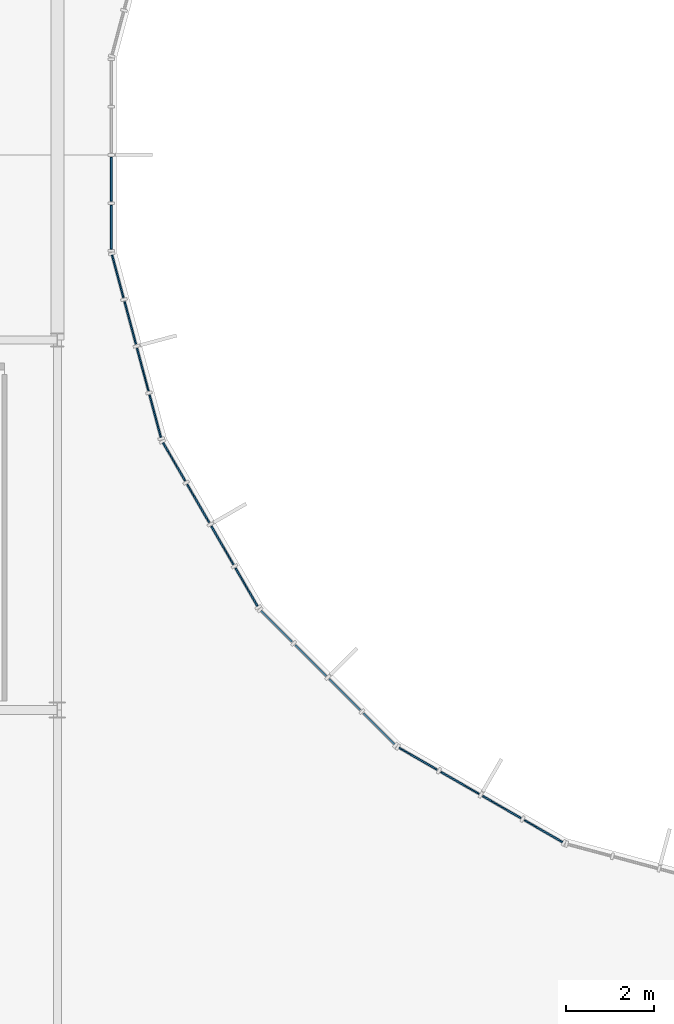
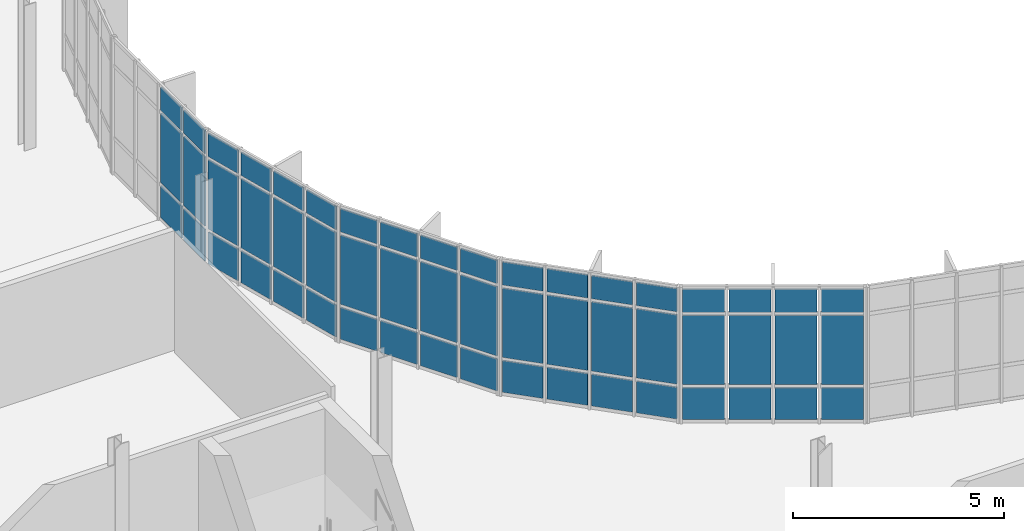
# One storey, part 72 of 119: 54 plates, 5 elements without a shape of their own.
"""IFC4 building model written with IfcOpenShell, lengths in metres."""

from ifc_helpers import new_model, si_unit, direction, frame, origin, origin_2d, place, context, subcontext, project, spatial, rectangle, extrude, material, layer, layer_set, type_object, element, aggregate, save


model = new_model("IFC4")

# Units and contexts
model_context = context("Model", 3, precision=1e-05, world=origin(), true_north=direction((0.0, 1.0)))
body_context = subcontext(model_context, "Body", "Model", "MODEL_VIEW")
ifc_project = project(units=[si_unit("LENGTHUNIT", "METRE"), si_unit("AREAUNIT", "SQUARE_METRE"), si_unit("VOLUMEUNIT", "CUBIC_METRE"), si_unit("PLANEANGLEUNIT", "RADIAN"), si_unit("MASSUNIT", "GRAM", prefix="KILO")], contexts=[model_context])

# Site, building, storey
site_placement = place(None, origin())
site = spatial("IfcSite", under=ifc_project, at=site_placement, CompositionType="ELEMENT")
building_placement = place(site_placement, origin())
building = spatial("IfcBuilding", under=site, at=building_placement, Name="Qelthora Terrace Specialist Clinic", CompositionType="ELEMENT")
storey_placement = place(building_placement, frame((0.0, 0.0, 4.800048828125)))
storey = spatial("IfcBuildingStorey", under=building, at=storey_placement, Name="L01", CompositionType="ELEMENT", Elevation=4.800048828125)

# Curtain wall, plates
ifc_material_1 = material(Name="Aluminium anodized bronze", Category="aluminium")
curtain_wall_type = type_object("IfcCurtainWallType", Name="CW-CRTE-UPP", PredefinedType="NOTDEFINED", material=ifc_material_1)
curtain_wall_1_placement = place(storey_placement, origin())
curtain_wall_1 = element("IfcCurtainWall", 1, at=curtain_wall_1_placement, inside=storey, type_object=curtain_wall_type, Name="Curtain wall CW-CE-L01-12", PredefinedType="NOTDEFINED")
ifc_material_2 = material(Name="Low-E triple-silver insulating glass", Category="glass")
ifc_layer = layer(ifc_material_2, 0.035888671875)
ifc_layer_set = layer_set([ifc_layer], Name="Low-E triple-silver insulating glass")
plate_type = type_object("IfcPlateType", Name="CWP-IGU-36", PredefinedType="CURTAIN_PANEL", material=ifc_layer_set)
plate_1_placement = place(storey_placement, frame((109.2236328125, 62.451904296875, 0.0849609375), z_axis=(0.0, 0.0, 1.0), x_axis=(0.0, -1.0, 0.0)))
plate_1 = element("IfcPlate", 2, at=plate_1_placement, type_object=plate_type, Name="CW-CE-L01-12 glazed panel 7", PredefinedType="CURTAIN_PANEL", context=body_context, shape_type="SweptSolid", body=[
    extrude(rectangle(XDim=0.996337890625, YDim=0.035888671875, at=origin_2d()), origin(), (0.0, 0.0, 1.0), 0.919921875),
])
plate_2_placement = place(storey_placement, frame((109.2236328125, 62.451904296875, 1.094970703125), z_axis=(0.0, 0.0, 1.0), x_axis=(0.0, -1.0, 0.0)))
plate_2 = element("IfcPlate", 3, at=plate_2_placement, type_object=plate_type, Name="CW-CE-L01-12 glazed panel 8", PredefinedType="CURTAIN_PANEL", context=body_context, shape_type="SweptSolid", body=[
    extrude(rectangle(XDim=0.996337890625, YDim=0.035888671875, at=origin_2d()), origin(), (0.0, 0.0, 1.0), 2.0048828125),
])
plate_3_placement = place(storey_placement, frame((109.2236328125, 62.451904296875, 3.18994140625), z_axis=(0.0, 0.0, 1.0), x_axis=(0.0, -1.0, 0.0)))
plate_3 = element("IfcPlate", 4, at=plate_3_placement, type_object=plate_type, Name="CW-CE-L01-12 glazed panel 9", PredefinedType="CURTAIN_PANEL", context=body_context, shape_type="SweptSolid", body=[
    extrude(rectangle(XDim=0.996337890625, YDim=0.035888671875, at=origin_2d()), origin(), (0.0, 0.0, 1.0), 0.669921875),
])
plate_4_placement = place(storey_placement, frame((109.2236328125, 61.35546875, 0.0849609375), z_axis=(0.0, 0.0, 1.0), x_axis=(0.0, -1.0, 0.0)))
plate_4 = element("IfcPlate", 5, at=plate_4_placement, type_object=plate_type, Name="CW-CE-L01-12 glazed panel 10", PredefinedType="CURTAIN_PANEL", context=body_context, shape_type="SweptSolid", body=[
    extrude(rectangle(XDim=0.996337890625, YDim=0.035888671875, at=origin_2d()), origin(), (0.0, 0.0, 1.0), 0.919921875),
])
plate_5_placement = place(storey_placement, frame((109.2236328125, 61.35546875, 1.094970703125), z_axis=(0.0, 0.0, 1.0), x_axis=(0.0, -1.0, 0.0)))
plate_5 = element("IfcPlate", 6, at=plate_5_placement, type_object=plate_type, Name="CW-CE-L01-12 glazed panel 11", PredefinedType="CURTAIN_PANEL", context=body_context, shape_type="SweptSolid", body=[
    extrude(rectangle(XDim=0.996337890625, YDim=0.035888671875, at=origin_2d()), origin(), (0.0, 0.0, 1.0), 2.0048828125),
])
plate_6_placement = place(storey_placement, frame((109.2236328125, 61.35546875, 3.18994140625), z_axis=(0.0, 0.0, 1.0), x_axis=(0.0, -1.0, 0.0)))
plate_6 = element("IfcPlate", 7, at=plate_6_placement, type_object=plate_type, Name="CW-CE-L01-12 glazed panel 12", PredefinedType="CURTAIN_PANEL", context=body_context, shape_type="SweptSolid", body=[
    extrude(rectangle(XDim=0.996337890625, YDim=0.035888671875, at=origin_2d()), origin(), (0.0, 0.0, 1.0), 0.669921875),
])
aggregate(curtain_wall_1, [plate_1, plate_2, plate_3, plate_4, plate_5, plate_6])

curtain_wall_2_placement = place(storey_placement, origin())
curtain_wall_2 = element("IfcCurtainWall", 8, at=curtain_wall_2_placement, inside=storey, type_object=curtain_wall_type, Name="Curtain wall CW-CE-L01-13", PredefinedType="NOTDEFINED")
plate_7_placement = place(storey_placement, frame((109.36962890625, 60.24658203125, 0.0849609375), z_axis=(0.0, 0.0, 1.0), x_axis=(0.258819045103, -0.965925826289, 0.0)))
plate_7 = element("IfcPlate", 9, at=plate_7_placement, type_object=plate_type, Name="CW-CE-L01-13 glazed panel 1", PredefinedType="CURTAIN_PANEL", context=body_context, shape_type="SweptSolid", body=[
    extrude(rectangle(XDim=0.996337890625, YDim=0.035888671875, at=origin_2d()), origin(), (0.0, 0.0, 1.0), 0.919921875),
])
plate_8_placement = place(storey_placement, frame((109.36962890625, 60.24658203125, 1.094970703125), z_axis=(0.0, 0.0, 1.0), x_axis=(0.258819045103, -0.965925826289, 0.0)))
plate_8 = element("IfcPlate", 10, at=plate_8_placement, type_object=plate_type, Name="CW-CE-L01-13 glazed panel 2", PredefinedType="CURTAIN_PANEL", context=body_context, shape_type="SweptSolid", body=[
    extrude(rectangle(XDim=0.996337890625, YDim=0.035888671875, at=origin_2d()), origin(), (0.0, 0.0, 1.0), 2.0048828125),
])
plate_9_placement = place(storey_placement, frame((109.36962890625, 60.24658203125, 3.18994140625), z_axis=(0.0, 0.0, 1.0), x_axis=(0.258819045103, -0.965925826289, 0.0)))
plate_9 = element("IfcPlate", 11, at=plate_9_placement, type_object=plate_type, Name="CW-CE-L01-13 glazed panel 3", PredefinedType="CURTAIN_PANEL", context=body_context, shape_type="SweptSolid", body=[
    extrude(rectangle(XDim=0.996337890625, YDim=0.035888671875, at=origin_2d()), origin(), (0.0, 0.0, 1.0), 0.669921875),
])
plate_10_placement = place(storey_placement, frame((109.653564453125, 59.1875, 0.0849609375), z_axis=(0.0, 0.0, 1.0), x_axis=(0.258819045103, -0.965925826289, 0.0)))
plate_10 = element("IfcPlate", 12, at=plate_10_placement, type_object=plate_type, Name="CW-CE-L01-13 glazed panel 4", PredefinedType="CURTAIN_PANEL", context=body_context, shape_type="SweptSolid", body=[
    extrude(rectangle(XDim=0.996337890625, YDim=0.035888671875, at=origin_2d()), origin(), (0.0, 0.0, 1.0), 0.919921875),
])
plate_11_placement = place(storey_placement, frame((109.653564453125, 59.1875, 1.094970703125), z_axis=(0.0, 0.0, 1.0), x_axis=(0.258819045103, -0.965925826289, 0.0)))
plate_11 = element("IfcPlate", 13, at=plate_11_placement, type_object=plate_type, Name="CW-CE-L01-13 glazed panel 5", PredefinedType="CURTAIN_PANEL", context=body_context, shape_type="SweptSolid", body=[
    extrude(rectangle(XDim=0.996337890625, YDim=0.035888671875, at=origin_2d()), origin(), (0.0, 0.0, 1.0), 2.0048828125),
])
plate_12_placement = place(storey_placement, frame((109.653564453125, 59.1875, 3.18994140625), z_axis=(0.0, 0.0, 1.0), x_axis=(0.258819045103, -0.965925826289, 0.0)))
plate_12 = element("IfcPlate", 14, at=plate_12_placement, type_object=plate_type, Name="CW-CE-L01-13 glazed panel 6", PredefinedType="CURTAIN_PANEL", context=body_context, shape_type="SweptSolid", body=[
    extrude(rectangle(XDim=0.996337890625, YDim=0.035888671875, at=origin_2d()), origin(), (0.0, 0.0, 1.0), 0.669921875),
])
plate_13_placement = place(storey_placement, frame((109.937255859375, 58.12841796875, 0.0849609375), z_axis=(0.0, 0.0, 1.0), x_axis=(0.258819045103, -0.965925826289, 0.0)))
plate_13 = element("IfcPlate", 15, at=plate_13_placement, type_object=plate_type, Name="CW-CE-L01-13 glazed panel 7", PredefinedType="CURTAIN_PANEL", context=body_context, shape_type="SweptSolid", body=[
    extrude(rectangle(XDim=0.996337890625, YDim=0.035888671875, at=origin_2d()), origin(), (0.0, 0.0, 1.0), 0.919921875),
])
plate_14_placement = place(storey_placement, frame((109.937255859375, 58.12841796875, 1.094970703125), z_axis=(0.0, 0.0, 1.0), x_axis=(0.258819045103, -0.965925826289, 0.0)))
plate_14 = element("IfcPlate", 16, at=plate_14_placement, type_object=plate_type, Name="CW-CE-L01-13 glazed panel 8", PredefinedType="CURTAIN_PANEL", context=body_context, shape_type="SweptSolid", body=[
    extrude(rectangle(XDim=0.996337890625, YDim=0.035888671875, at=origin_2d()), origin(), (0.0, 0.0, 1.0), 2.0048828125),
])
plate_15_placement = place(storey_placement, frame((109.937255859375, 58.12841796875, 3.18994140625), z_axis=(0.0, 0.0, 1.0), x_axis=(0.258819045103, -0.965925826289, 0.0)))
plate_15 = element("IfcPlate", 17, at=plate_15_placement, type_object=plate_type, Name="CW-CE-L01-13 glazed panel 9", PredefinedType="CURTAIN_PANEL", context=body_context, shape_type="SweptSolid", body=[
    extrude(rectangle(XDim=0.996337890625, YDim=0.035888671875, at=origin_2d()), origin(), (0.0, 0.0, 1.0), 0.669921875),
])
plate_16_placement = place(storey_placement, frame((110.220947265625, 57.0693359375, 0.0849609375), z_axis=(0.0, 0.0, 1.0), x_axis=(0.258819045103, -0.965925826289, 0.0)))
plate_16 = element("IfcPlate", 18, at=plate_16_placement, type_object=plate_type, Name="CW-CE-L01-13 glazed panel 10", PredefinedType="CURTAIN_PANEL", context=body_context, shape_type="SweptSolid", body=[
    extrude(rectangle(XDim=0.996337890625, YDim=0.035888671875, at=origin_2d()), origin(), (0.0, 0.0, 1.0), 0.919921875),
])
plate_17_placement = place(storey_placement, frame((110.220947265625, 57.0693359375, 1.094970703125), z_axis=(0.0, 0.0, 1.0), x_axis=(0.258819045103, -0.965925826289, 0.0)))
plate_17 = element("IfcPlate", 19, at=plate_17_placement, type_object=plate_type, Name="CW-CE-L01-13 glazed panel 11", PredefinedType="CURTAIN_PANEL", context=body_context, shape_type="SweptSolid", body=[
    extrude(rectangle(XDim=0.996337890625, YDim=0.035888671875, at=origin_2d()), origin(), (0.0, 0.0, 1.0), 2.0048828125),
])
plate_18_placement = place(storey_placement, frame((110.220947265625, 57.0693359375, 3.18994140625), z_axis=(0.0, 0.0, 1.0), x_axis=(0.258819045103, -0.965925826289, 0.0)))
plate_18 = element("IfcPlate", 20, at=plate_18_placement, type_object=plate_type, Name="CW-CE-L01-13 glazed panel 12", PredefinedType="CURTAIN_PANEL", context=body_context, shape_type="SweptSolid", body=[
    extrude(rectangle(XDim=0.996337890625, YDim=0.035888671875, at=origin_2d()), origin(), (0.0, 0.0, 1.0), 0.669921875),
])
aggregate(curtain_wall_2, [plate_7, plate_8, plate_9, plate_10, plate_11, plate_12, plate_13, plate_14, plate_15, plate_16, plate_17, plate_18])

curtain_wall_3_placement = place(storey_placement, origin())
curtain_wall_3 = element("IfcCurtainWall", 21, at=curtain_wall_3_placement, inside=storey, type_object=curtain_wall_type, Name="Curtain wall CW-CE-L01-14", PredefinedType="NOTDEFINED")
plate_19_placement = place(storey_placement, frame((110.64892578125, 56.0361328125, 0.0849609375), z_axis=(0.0, 0.0, 1.0), x_axis=(0.5, -0.866025403784, 0.0)))
plate_19 = element("IfcPlate", 22, at=plate_19_placement, type_object=plate_type, Name="CW-CE-L01-14 glazed panel 1", PredefinedType="CURTAIN_PANEL", context=body_context, shape_type="SweptSolid", body=[
    extrude(rectangle(XDim=0.996337890625, YDim=0.035888671875, at=origin_2d()), origin(), (0.0, 0.0, 1.0), 0.919921875),
])
plate_20_placement = place(storey_placement, frame((110.64892578125, 56.0361328125, 1.094970703125), z_axis=(0.0, 0.0, 1.0), x_axis=(0.5, -0.866025403784, 0.0)))
plate_20 = element("IfcPlate", 23, at=plate_20_placement, type_object=plate_type, Name="CW-CE-L01-14 glazed panel 2", PredefinedType="CURTAIN_PANEL", context=body_context, shape_type="SweptSolid", body=[
    extrude(rectangle(XDim=0.996337890625, YDim=0.035888671875, at=origin_2d()), origin(), (0.0, 0.0, 1.0), 2.0048828125),
])
plate_21_placement = place(storey_placement, frame((110.64892578125, 56.0361328125, 3.18994140625), z_axis=(0.0, 0.0, 1.0), x_axis=(0.5, -0.866025403784, 0.0)))
plate_21 = element("IfcPlate", 24, at=plate_21_placement, type_object=plate_type, Name="CW-CE-L01-14 glazed panel 3", PredefinedType="CURTAIN_PANEL", context=body_context, shape_type="SweptSolid", body=[
    extrude(rectangle(XDim=0.996337890625, YDim=0.035888671875, at=origin_2d()), origin(), (0.0, 0.0, 1.0), 0.669921875),
])
plate_22_placement = place(storey_placement, frame((111.197265625, 55.086669921875, 0.0849609375), z_axis=(0.0, 0.0, 1.0), x_axis=(0.5, -0.866025403784, 0.0)))
plate_22 = element("IfcPlate", 25, at=plate_22_placement, type_object=plate_type, Name="CW-CE-L01-14 glazed panel 4", PredefinedType="CURTAIN_PANEL", context=body_context, shape_type="SweptSolid", body=[
    extrude(rectangle(XDim=0.996337890625, YDim=0.035888671875, at=origin_2d()), origin(), (0.0, 0.0, 1.0), 0.919921875),
])
plate_23_placement = place(storey_placement, frame((111.197265625, 55.086669921875, 1.094970703125), z_axis=(0.0, 0.0, 1.0), x_axis=(0.5, -0.866025403784, 0.0)))
plate_23 = element("IfcPlate", 26, at=plate_23_placement, type_object=plate_type, Name="CW-CE-L01-14 glazed panel 5", PredefinedType="CURTAIN_PANEL", context=body_context, shape_type="SweptSolid", body=[
    extrude(rectangle(XDim=0.996337890625, YDim=0.035888671875, at=origin_2d()), origin(), (0.0, 0.0, 1.0), 2.0048828125),
])
plate_24_placement = place(storey_placement, frame((111.197265625, 55.086669921875, 3.18994140625), z_axis=(0.0, 0.0, 1.0), x_axis=(0.5, -0.866025403784, 0.0)))
plate_24 = element("IfcPlate", 27, at=plate_24_placement, type_object=plate_type, Name="CW-CE-L01-14 glazed panel 6", PredefinedType="CURTAIN_PANEL", context=body_context, shape_type="SweptSolid", body=[
    extrude(rectangle(XDim=0.996337890625, YDim=0.035888671875, at=origin_2d()), origin(), (0.0, 0.0, 1.0), 0.669921875),
])
plate_25_placement = place(storey_placement, frame((111.745361328125, 54.13720703125, 0.0849609375), z_axis=(0.0, 0.0, 1.0), x_axis=(0.5, -0.866025403784, 0.0)))
plate_25 = element("IfcPlate", 28, at=plate_25_placement, type_object=plate_type, Name="CW-CE-L01-14 glazed panel 7", PredefinedType="CURTAIN_PANEL", context=body_context, shape_type="SweptSolid", body=[
    extrude(rectangle(XDim=0.996337890625, YDim=0.035888671875, at=origin_2d()), origin(), (0.0, 0.0, 1.0), 0.919921875),
])
plate_26_placement = place(storey_placement, frame((111.745361328125, 54.13720703125, 1.094970703125), z_axis=(0.0, 0.0, 1.0), x_axis=(0.5, -0.866025403784, 0.0)))
plate_26 = element("IfcPlate", 29, at=plate_26_placement, type_object=plate_type, Name="CW-CE-L01-14 glazed panel 8", PredefinedType="CURTAIN_PANEL", context=body_context, shape_type="SweptSolid", body=[
    extrude(rectangle(XDim=0.996337890625, YDim=0.035888671875, at=origin_2d()), origin(), (0.0, 0.0, 1.0), 2.0048828125),
])
plate_27_placement = place(storey_placement, frame((111.745361328125, 54.13720703125, 3.18994140625), z_axis=(0.0, 0.0, 1.0), x_axis=(0.5, -0.866025403784, 0.0)))
plate_27 = element("IfcPlate", 30, at=plate_27_placement, type_object=plate_type, Name="CW-CE-L01-14 glazed panel 9", PredefinedType="CURTAIN_PANEL", context=body_context, shape_type="SweptSolid", body=[
    extrude(rectangle(XDim=0.996337890625, YDim=0.035888671875, at=origin_2d()), origin(), (0.0, 0.0, 1.0), 0.669921875),
])
plate_28_placement = place(storey_placement, frame((112.293701171875, 53.1875, 0.0849609375), z_axis=(0.0, 0.0, 1.0), x_axis=(0.5, -0.866025403784, 0.0)))
plate_28 = element("IfcPlate", 31, at=plate_28_placement, type_object=plate_type, Name="CW-CE-L01-14 glazed panel 10", PredefinedType="CURTAIN_PANEL", context=body_context, shape_type="SweptSolid", body=[
    extrude(rectangle(XDim=0.996337890625, YDim=0.035888671875, at=origin_2d()), origin(), (0.0, 0.0, 1.0), 0.919921875),
])
plate_29_placement = place(storey_placement, frame((112.293701171875, 53.1875, 1.094970703125), z_axis=(0.0, 0.0, 1.0), x_axis=(0.5, -0.866025403784, 0.0)))
plate_29 = element("IfcPlate", 32, at=plate_29_placement, type_object=plate_type, Name="CW-CE-L01-14 glazed panel 11", PredefinedType="CURTAIN_PANEL", context=body_context, shape_type="SweptSolid", body=[
    extrude(rectangle(XDim=0.996337890625, YDim=0.035888671875, at=origin_2d()), origin(), (0.0, 0.0, 1.0), 2.0048828125),
])
plate_30_placement = place(storey_placement, frame((112.293701171875, 53.1875, 3.18994140625), z_axis=(0.0, 0.0, 1.0), x_axis=(0.5, -0.866025403784, 0.0)))
plate_30 = element("IfcPlate", 33, at=plate_30_placement, type_object=plate_type, Name="CW-CE-L01-14 glazed panel 12", PredefinedType="CURTAIN_PANEL", context=body_context, shape_type="SweptSolid", body=[
    extrude(rectangle(XDim=0.996337890625, YDim=0.035888671875, at=origin_2d()), origin(), (0.0, 0.0, 1.0), 0.669921875),
])
aggregate(curtain_wall_3, [plate_19, plate_20, plate_21, plate_22, plate_23, plate_24, plate_25, plate_26, plate_27, plate_28, plate_29, plate_30])

curtain_wall_4_placement = place(storey_placement, origin())
curtain_wall_4 = element("IfcCurtainWall", 34, at=curtain_wall_4_placement, inside=storey, type_object=curtain_wall_type, Name="Curtain wall CW-CE-L01-15", PredefinedType="NOTDEFINED")
plate_31_placement = place(storey_placement, frame((112.974365234375, 52.30029296875, 0.0849609375), z_axis=(0.0, 0.0, 1.0), x_axis=(0.707106781187, -0.707106781187, 0.0)))
plate_31 = element("IfcPlate", 35, at=plate_31_placement, type_object=plate_type, Name="CW-CE-L01-15 glazed panel 1", PredefinedType="CURTAIN_PANEL", context=body_context, shape_type="SweptSolid", body=[
    extrude(rectangle(XDim=0.996337890625, YDim=0.035888671875, at=origin_2d()), origin(), (0.0, 0.0, 1.0), 0.919921875),
])
plate_32_placement = place(storey_placement, frame((112.974365234375, 52.30029296875, 1.094970703125), z_axis=(0.0, 0.0, 1.0), x_axis=(0.707106781187, -0.707106781187, 0.0)))
plate_32 = element("IfcPlate", 36, at=plate_32_placement, type_object=plate_type, Name="CW-CE-L01-15 glazed panel 2", PredefinedType="CURTAIN_PANEL", context=body_context, shape_type="SweptSolid", body=[
    extrude(rectangle(XDim=0.996337890625, YDim=0.035888671875, at=origin_2d()), origin(), (0.0, 0.0, 1.0), 2.0048828125),
])
plate_33_placement = place(storey_placement, frame((112.974365234375, 52.30029296875, 3.18994140625), z_axis=(0.0, 0.0, 1.0), x_axis=(0.707106781187, -0.707106781187, 0.0)))
plate_33 = element("IfcPlate", 37, at=plate_33_placement, type_object=plate_type, Name="CW-CE-L01-15 glazed panel 3", PredefinedType="CURTAIN_PANEL", context=body_context, shape_type="SweptSolid", body=[
    extrude(rectangle(XDim=0.996337890625, YDim=0.035888671875, at=origin_2d()), origin(), (0.0, 0.0, 1.0), 0.669921875),
])
plate_34_placement = place(storey_placement, frame((113.749755859375, 51.525146484375, 0.0849609375), z_axis=(0.0, 0.0, 1.0), x_axis=(0.707106781187, -0.707106781187, 0.0)))
plate_34 = element("IfcPlate", 38, at=plate_34_placement, type_object=plate_type, Name="CW-CE-L01-15 glazed panel 4", PredefinedType="CURTAIN_PANEL", context=body_context, shape_type="SweptSolid", body=[
    extrude(rectangle(XDim=0.996337890625, YDim=0.035888671875, at=origin_2d()), origin(), (0.0, 0.0, 1.0), 0.919921875),
])
plate_35_placement = place(storey_placement, frame((113.749755859375, 51.525146484375, 1.094970703125), z_axis=(0.0, 0.0, 1.0), x_axis=(0.707106781187, -0.707106781187, 0.0)))
plate_35 = element("IfcPlate", 39, at=plate_35_placement, type_object=plate_type, Name="CW-CE-L01-15 glazed panel 5", PredefinedType="CURTAIN_PANEL", context=body_context, shape_type="SweptSolid", body=[
    extrude(rectangle(XDim=0.996337890625, YDim=0.035888671875, at=origin_2d()), origin(), (0.0, 0.0, 1.0), 2.0048828125),
])
plate_36_placement = place(storey_placement, frame((113.749755859375, 51.525146484375, 3.18994140625), z_axis=(0.0, 0.0, 1.0), x_axis=(0.707106781187, -0.707106781187, 0.0)))
plate_36 = element("IfcPlate", 40, at=plate_36_placement, type_object=plate_type, Name="CW-CE-L01-15 glazed panel 6", PredefinedType="CURTAIN_PANEL", context=body_context, shape_type="SweptSolid", body=[
    extrude(rectangle(XDim=0.996337890625, YDim=0.035888671875, at=origin_2d()), origin(), (0.0, 0.0, 1.0), 0.669921875),
])
plate_37_placement = place(storey_placement, frame((114.525146484375, 50.749755859375, 0.0849609375), z_axis=(0.0, 0.0, 1.0), x_axis=(0.707106781187, -0.707106781187, 0.0)))
plate_37 = element("IfcPlate", 41, at=plate_37_placement, type_object=plate_type, Name="CW-CE-L01-15 glazed panel 7", PredefinedType="CURTAIN_PANEL", context=body_context, shape_type="SweptSolid", body=[
    extrude(rectangle(XDim=0.996337890625, YDim=0.035888671875, at=origin_2d()), origin(), (0.0, 0.0, 1.0), 0.919921875),
])
plate_38_placement = place(storey_placement, frame((114.525146484375, 50.749755859375, 1.094970703125), z_axis=(0.0, 0.0, 1.0), x_axis=(0.707106781187, -0.707106781187, 0.0)))
plate_38 = element("IfcPlate", 42, at=plate_38_placement, type_object=plate_type, Name="CW-CE-L01-15 glazed panel 8", PredefinedType="CURTAIN_PANEL", context=body_context, shape_type="SweptSolid", body=[
    extrude(rectangle(XDim=0.996337890625, YDim=0.035888671875, at=origin_2d()), origin(), (0.0, 0.0, 1.0), 2.0048828125),
])
plate_39_placement = place(storey_placement, frame((114.525146484375, 50.749755859375, 3.18994140625), z_axis=(0.0, 0.0, 1.0), x_axis=(0.707106781187, -0.707106781187, 0.0)))
plate_39 = element("IfcPlate", 43, at=plate_39_placement, type_object=plate_type, Name="CW-CE-L01-15 glazed panel 9", PredefinedType="CURTAIN_PANEL", context=body_context, shape_type="SweptSolid", body=[
    extrude(rectangle(XDim=0.996337890625, YDim=0.035888671875, at=origin_2d()), origin(), (0.0, 0.0, 1.0), 0.669921875),
])
plate_40_placement = place(storey_placement, frame((115.30029296875, 49.974365234375, 0.0849609375), z_axis=(0.0, 0.0, 1.0), x_axis=(0.707106781187, -0.707106781187, 0.0)))
plate_40 = element("IfcPlate", 44, at=plate_40_placement, type_object=plate_type, Name="CW-CE-L01-15 glazed panel 10", PredefinedType="CURTAIN_PANEL", context=body_context, shape_type="SweptSolid", body=[
    extrude(rectangle(XDim=0.996337890625, YDim=0.035888671875, at=origin_2d()), origin(), (0.0, 0.0, 1.0), 0.919921875),
])
plate_41_placement = place(storey_placement, frame((115.30029296875, 49.974365234375, 1.094970703125), z_axis=(0.0, 0.0, 1.0), x_axis=(0.707106781187, -0.707106781187, 0.0)))
plate_41 = element("IfcPlate", 45, at=plate_41_placement, type_object=plate_type, Name="CW-CE-L01-15 glazed panel 11", PredefinedType="CURTAIN_PANEL", context=body_context, shape_type="SweptSolid", body=[
    extrude(rectangle(XDim=0.996337890625, YDim=0.035888671875, at=origin_2d()), origin(), (0.0, 0.0, 1.0), 2.0048828125),
])
plate_42_placement = place(storey_placement, frame((115.30029296875, 49.974365234375, 3.18994140625), z_axis=(0.0, 0.0, 1.0), x_axis=(0.707106781187, -0.707106781187, 0.0)))
plate_42 = element("IfcPlate", 46, at=plate_42_placement, type_object=plate_type, Name="CW-CE-L01-15 glazed panel 12", PredefinedType="CURTAIN_PANEL", context=body_context, shape_type="SweptSolid", body=[
    extrude(rectangle(XDim=0.996337890625, YDim=0.035888671875, at=origin_2d()), origin(), (0.0, 0.0, 1.0), 0.669921875),
])
aggregate(curtain_wall_4, [plate_31, plate_32, plate_33, plate_34, plate_35, plate_36, plate_37, plate_38, plate_39, plate_40, plate_41, plate_42])

curtain_wall_5_placement = place(storey_placement, origin())
curtain_wall_5 = element("IfcCurtainWall", 47, at=curtain_wall_5_placement, inside=storey, type_object=curtain_wall_type, Name="Curtain wall CW-CE-L01-16", PredefinedType="NOTDEFINED")
plate_43_placement = place(storey_placement, frame((116.1875, 49.293701171875, 0.0849609375), z_axis=(0.0, 0.0, 1.0), x_axis=(0.866025403784, -0.5, 0.0)))
plate_43 = element("IfcPlate", 48, at=plate_43_placement, type_object=plate_type, Name="CW-CE-L01-16 glazed panel 1", PredefinedType="CURTAIN_PANEL", context=body_context, shape_type="SweptSolid", body=[
    extrude(rectangle(XDim=0.996337890625, YDim=0.035888671875, at=origin_2d()), origin(), (0.0, 0.0, 1.0), 0.919921875),
])
plate_44_placement = place(storey_placement, frame((116.1875, 49.293701171875, 1.094970703125), z_axis=(0.0, 0.0, 1.0), x_axis=(0.866025403784, -0.5, 0.0)))
plate_44 = element("IfcPlate", 49, at=plate_44_placement, type_object=plate_type, Name="CW-CE-L01-16 glazed panel 2", PredefinedType="CURTAIN_PANEL", context=body_context, shape_type="SweptSolid", body=[
    extrude(rectangle(XDim=0.996337890625, YDim=0.035888671875, at=origin_2d()), origin(), (0.0, 0.0, 1.0), 2.0048828125),
])
plate_45_placement = place(storey_placement, frame((116.1875, 49.293701171875, 3.18994140625), z_axis=(0.0, 0.0, 1.0), x_axis=(0.866025403784, -0.5, 0.0)))
plate_45 = element("IfcPlate", 50, at=plate_45_placement, type_object=plate_type, Name="CW-CE-L01-16 glazed panel 3", PredefinedType="CURTAIN_PANEL", context=body_context, shape_type="SweptSolid", body=[
    extrude(rectangle(XDim=0.996337890625, YDim=0.035888671875, at=origin_2d()), origin(), (0.0, 0.0, 1.0), 0.669921875),
])
plate_46_placement = place(storey_placement, frame((117.13720703125, 48.745361328125, 0.0849609375), z_axis=(0.0, 0.0, 1.0), x_axis=(0.866025403784, -0.5, 0.0)))
plate_46 = element("IfcPlate", 51, at=plate_46_placement, type_object=plate_type, Name="CW-CE-L01-16 glazed panel 4", PredefinedType="CURTAIN_PANEL", context=body_context, shape_type="SweptSolid", body=[
    extrude(rectangle(XDim=0.996337890625, YDim=0.035888671875, at=origin_2d()), origin(), (0.0, 0.0, 1.0), 0.919921875),
])
plate_47_placement = place(storey_placement, frame((117.13720703125, 48.745361328125, 1.094970703125), z_axis=(0.0, 0.0, 1.0), x_axis=(0.866025403784, -0.5, 0.0)))
plate_47 = element("IfcPlate", 52, at=plate_47_placement, type_object=plate_type, Name="CW-CE-L01-16 glazed panel 5", PredefinedType="CURTAIN_PANEL", context=body_context, shape_type="SweptSolid", body=[
    extrude(rectangle(XDim=0.996337890625, YDim=0.035888671875, at=origin_2d()), origin(), (0.0, 0.0, 1.0), 2.0048828125),
])
plate_48_placement = place(storey_placement, frame((117.13720703125, 48.745361328125, 3.18994140625), z_axis=(0.0, 0.0, 1.0), x_axis=(0.866025403784, -0.5, 0.0)))
plate_48 = element("IfcPlate", 53, at=plate_48_placement, type_object=plate_type, Name="CW-CE-L01-16 glazed panel 6", PredefinedType="CURTAIN_PANEL", context=body_context, shape_type="SweptSolid", body=[
    extrude(rectangle(XDim=0.996337890625, YDim=0.035888671875, at=origin_2d()), origin(), (0.0, 0.0, 1.0), 0.669921875),
])
plate_49_placement = place(storey_placement, frame((118.086669921875, 48.197265625, 0.0849609375), z_axis=(0.0, 0.0, 1.0), x_axis=(0.866025403784, -0.5, 0.0)))
plate_49 = element("IfcPlate", 54, at=plate_49_placement, type_object=plate_type, Name="CW-CE-L01-16 glazed panel 7", PredefinedType="CURTAIN_PANEL", context=body_context, shape_type="SweptSolid", body=[
    extrude(rectangle(XDim=0.996337890625, YDim=0.035888671875, at=origin_2d()), origin(), (0.0, 0.0, 1.0), 0.919921875),
])
plate_50_placement = place(storey_placement, frame((118.086669921875, 48.197265625, 1.094970703125), z_axis=(0.0, 0.0, 1.0), x_axis=(0.866025403784, -0.5, 0.0)))
plate_50 = element("IfcPlate", 55, at=plate_50_placement, type_object=plate_type, Name="CW-CE-L01-16 glazed panel 8", PredefinedType="CURTAIN_PANEL", context=body_context, shape_type="SweptSolid", body=[
    extrude(rectangle(XDim=0.996337890625, YDim=0.035888671875, at=origin_2d()), origin(), (0.0, 0.0, 1.0), 2.0048828125),
])
plate_51_placement = place(storey_placement, frame((118.086669921875, 48.197265625, 3.18994140625), z_axis=(0.0, 0.0, 1.0), x_axis=(0.866025403784, -0.5, 0.0)))
plate_51 = element("IfcPlate", 56, at=plate_51_placement, type_object=plate_type, Name="CW-CE-L01-16 glazed panel 9", PredefinedType="CURTAIN_PANEL", context=body_context, shape_type="SweptSolid", body=[
    extrude(rectangle(XDim=0.996337890625, YDim=0.035888671875, at=origin_2d()), origin(), (0.0, 0.0, 1.0), 0.669921875),
])
plate_52_placement = place(storey_placement, frame((119.0361328125, 47.64892578125, 0.0849609375), z_axis=(0.0, 0.0, 1.0), x_axis=(0.866025403784, -0.5, 0.0)))
plate_52 = element("IfcPlate", 57, at=plate_52_placement, type_object=plate_type, Name="CW-CE-L01-16 glazed panel 10", PredefinedType="CURTAIN_PANEL", context=body_context, shape_type="SweptSolid", body=[
    extrude(rectangle(XDim=0.996337890625, YDim=0.035888671875, at=origin_2d()), origin(), (0.0, 0.0, 1.0), 0.919921875),
])
plate_53_placement = place(storey_placement, frame((119.0361328125, 47.64892578125, 1.094970703125), z_axis=(0.0, 0.0, 1.0), x_axis=(0.866025403784, -0.5, 0.0)))
plate_53 = element("IfcPlate", 58, at=plate_53_placement, type_object=plate_type, Name="CW-CE-L01-16 glazed panel 11", PredefinedType="CURTAIN_PANEL", context=body_context, shape_type="SweptSolid", body=[
    extrude(rectangle(XDim=0.996337890625, YDim=0.035888671875, at=origin_2d()), origin(), (0.0, 0.0, 1.0), 2.0048828125),
])
plate_54_placement = place(storey_placement, frame((119.0361328125, 47.64892578125, 3.18994140625), z_axis=(0.0, 0.0, 1.0), x_axis=(0.866025403784, -0.5, 0.0)))
plate_54 = element("IfcPlate", 59, at=plate_54_placement, type_object=plate_type, Name="CW-CE-L01-16 glazed panel 12", PredefinedType="CURTAIN_PANEL", context=body_context, shape_type="SweptSolid", body=[
    extrude(rectangle(XDim=0.996337890625, YDim=0.035888671875, at=origin_2d()), origin(), (0.0, 0.0, 1.0), 0.669921875),
])
aggregate(curtain_wall_5, [plate_43, plate_44, plate_45, plate_46, plate_47, plate_48, plate_49, plate_50, plate_51, plate_52, plate_53, plate_54])

save(model, "model.ifc")
